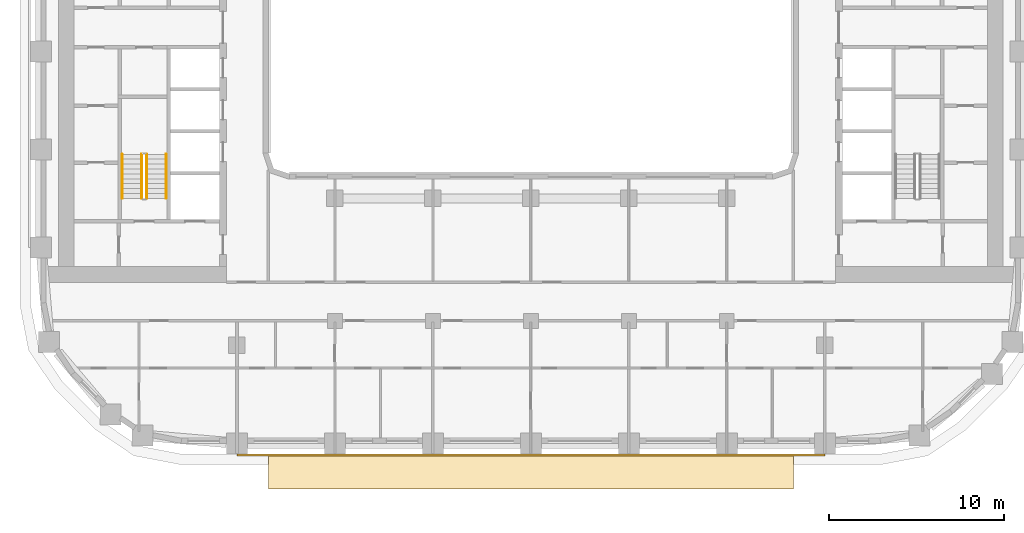
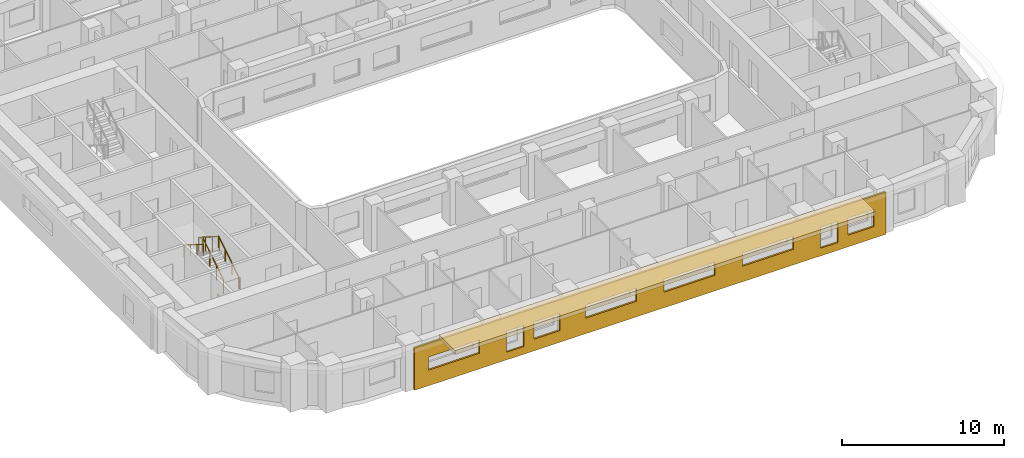
# One storey, part 12 of 21: 4 railings, 2 coverings.
"""IFC4 building model written with IfcOpenShell, lengths in metres."""

from ifc_helpers import new_model, si_unit, direction, frame, origin, origin_2d, place, context, subcontext, project, spatial, polyline, circle, outline, extrude, material, layer, layer_set, type_object, element, save


model = new_model("IFC4")

# Units and contexts
model_context = context("Model", 3, precision=1e-05, world=origin(), true_north=direction((0.0, 1.0)))
body_context = subcontext(model_context, "Body", "Model", "MODEL_VIEW")
ifc_project = project(units=[si_unit("LENGTHUNIT", "METRE"), si_unit("AREAUNIT", "SQUARE_METRE"), si_unit("VOLUMEUNIT", "CUBIC_METRE"), si_unit("PLANEANGLEUNIT", "RADIAN"), si_unit("MASSUNIT", "GRAM", prefix="KILO")], contexts=[model_context])

# Site, building, storey
site_placement = place(None, origin())
site = spatial("IfcSite", under=ifc_project, at=site_placement, CompositionType="ELEMENT")
building_placement = place(site_placement, origin())
building = spatial("IfcBuilding", under=site, at=building_placement, Name="Kiln Ring Residences", CompositionType="ELEMENT")
storey_placement = place(building_placement, frame((0.0, 0.0, 114.800048828125)))
storey = spatial("IfcBuildingStorey", under=building, at=storey_placement, Name="L29", CompositionType="ELEMENT", Elevation=114.800048828125)

# Railings
ifc_material_1 = material(Name="Stainless steel", Category="steel")
railing_type_1 = type_object("IfcRailingType", Name="CORE-STAIR-GUARD", PredefinedType="GUARDRAIL", material=ifc_material_1)
railing_1_placement = place(storey_placement, frame((-21.949951171875, -8.39990234375, 0.175048828125)))
element("IfcRailing", 1, at=railing_1_placement, inside=storey, type_object=railing_type_1, Name="L29 W-STS stair guard 1", PredefinedType="GUARDRAIL", context=body_context, shape_type="SweptSolid", body=[
    extrude(circle(Radius=0.02392578125, at=origin_2d()), frame((0.0, 0.0, 1.076171875), z_axis=(0.0, 0.848007534815, 0.529984170421), x_axis=(-1.0, 0.0, 0.0)), (0.0, 0.0, 1.0), 2.9716796875),
    extrude(circle(Radius=0.02099609375, at=origin_2d()), origin(), (0.0, 0.0, 1.0), 1.052001953125),
    extrude(circle(Radius=0.02099609375, at=origin_2d()), frame((0.0, 0.840087890625, 0.52490234375)), (0.0, 0.0, 1.0), 1.052001953125),
    extrude(circle(Radius=0.02099609375, at=origin_2d()), frame((0.0, 1.679931640625, 1.050048828125)), (0.0, 0.0, 1.0), 1.052001953125),
    extrude(circle(Radius=0.02099609375, at=origin_2d()), frame((0.0, 2.52001953125, 1.574951171875)), (0.0, 0.0, 1.0), 1.052001953125),
])
railing_2_placement = place(storey_placement, frame((-22.25, -5.8798828125, 1.925048828125)))
element("IfcRailing", 2, at=railing_2_placement, inside=storey, type_object=railing_type_1, Name="L29 W-STS stair guard 3", PredefinedType="GUARDRAIL", context=body_context, shape_type="SweptSolid", body=[
    extrude(circle(Radius=0.02392578125, at=origin_2d()), frame((0.0, 0.0, 1.076171875), z_axis=(0.0, -0.848007534815, 0.529984170421), x_axis=(1.0, 0.0, 0.0)), (0.0, 0.0, 1.0), 2.9716796875),
    extrude(circle(Radius=0.02099609375, at=origin_2d()), origin(), (0.0, 0.0, 1.0), 1.052001953125),
    extrude(circle(Radius=0.02099609375, at=origin_2d()), frame((0.0, -0.840087890625, 0.52490234375)), (0.0, 0.0, 1.0), 1.052001953125),
    extrude(circle(Radius=0.02099609375, at=origin_2d()), frame((0.0, -1.679931640625, 1.050048828125)), (0.0, 0.0, 1.0), 1.052001953125),
    extrude(circle(Radius=0.02099609375, at=origin_2d()), frame((0.0, -2.52001953125, 1.574951171875)), (0.0, 0.0, 1.0), 1.052001953125),
])
ifc_material_2 = material(Name="Stainless steel", Category="steel")
railing_type_2 = type_object("IfcRailingType", Name="CORE-STAIR-HANDRAIL", PredefinedType="HANDRAIL", material=ifc_material_2)
railing_3_placement = place(storey_placement, frame((-20.85009765625, -8.39990234375, 0.175048828125)))
element("IfcRailing", 3, at=railing_3_placement, inside=storey, type_object=railing_type_2, Name="L29 W-STS stair handrail 1", PredefinedType="HANDRAIL", context=body_context, shape_type="SweptSolid", body=[
    extrude(circle(Radius=0.02392578125, at=origin_2d()), frame((0.0, 0.0, 0.8759765625), z_axis=(0.0, 0.848007534815, 0.529984170421), x_axis=(-1.0, 0.0, 0.0)), (0.0, 0.0, 1.0), 2.9716796875),
    extrude(circle(Radius=0.02099609375, at=origin_2d()), origin(), (0.0, 0.0, 1.0), 0.851806640625),
    extrude(circle(Radius=0.02099609375, at=origin_2d()), frame((0.0, 0.840087890625, 0.52490234375)), (0.0, 0.0, 1.0), 0.851806640625),
    extrude(circle(Radius=0.02099609375, at=origin_2d()), frame((0.0, 1.679931640625, 1.050048828125)), (0.0, 0.0, 1.0), 0.851806640625),
    extrude(circle(Radius=0.02099609375, at=origin_2d()), frame((0.0, 2.52001953125, 1.574951171875)), (0.0, 0.0, 1.0), 0.851806640625),
])
railing_4_placement = place(storey_placement, frame((-23.35009765625, -5.8798828125, 1.925048828125)))
element("IfcRailing", 4, at=railing_4_placement, inside=storey, type_object=railing_type_2, Name="L29 W-STS stair handrail 2", PredefinedType="HANDRAIL", context=body_context, shape_type="SweptSolid", body=[
    extrude(circle(Radius=0.02392578125, at=origin_2d()), frame((0.0, 0.0, 0.8759765625), z_axis=(0.0, -0.848007534815, 0.529984170421), x_axis=(1.0, 0.0, 0.0)), (0.0, 0.0, 1.0), 2.9716796875),
    extrude(circle(Radius=0.02099609375, at=origin_2d()), origin(), (0.0, 0.0, 1.0), 0.851806640625),
    extrude(circle(Radius=0.02099609375, at=origin_2d()), frame((0.0, -0.840087890625, 0.52490234375)), (0.0, 0.0, 1.0), 0.851806640625),
    extrude(circle(Radius=0.02099609375, at=origin_2d()), frame((0.0, -1.679931640625, 1.050048828125)), (0.0, 0.0, 1.0), 0.851806640625),
    extrude(circle(Radius=0.02099609375, at=origin_2d()), frame((0.0, -2.52001953125, 1.574951171875)), (0.0, 0.0, 1.0), 0.851806640625),
])

# Coverings
ifc_material_3 = material(Name="Brick masonry, dark clay brick", Category="masonry")
ifc_layer_1 = layer(ifc_material_3, 0.1201171875)
ifc_layer_set_1 = layer_set([ifc_layer_1], Name="RAINSCREEN PANEL 120")
covering_type_1 = type_object("IfcCoveringType", Name="RAINSCREEN PANEL 120", PredefinedType="CLADDING", material=ifc_layer_set_1)
covering_1_placement = place(storey_placement, frame((-16.800048828125, -23.06005859375, 0.0), z_axis=(0.0, 0.0, 1.0), x_axis=(1.0, 0.0, 0.0)))
element("IfcCovering", 5, at=covering_1_placement, inside=storey, type_object=covering_type_1, Name="RAINSCREEN L29", PredefinedType="CLADDING", context=body_context, shape_type="SweptSolid", body=[
    extrude(outline(polyline([(0.0, 0.0), (33.60009765625, 0.0), (33.60009765625, 3.199951171875), (0.0, 3.199951171875), (0.0, 0.0)]), holes=[polyline([(6.54248046875, 0.579833984375), (7.782470703125, 0.579833984375), (7.782470703125, 2.169921875), (6.54248046875, 2.169921875), (6.54248046875, 0.579833984375)]), polyline([(28.9423828125, 0.579833984375), (30.1826171875, 0.579833984375), (30.1826171875, 2.169921875), (28.9423828125, 2.169921875), (28.9423828125, 0.579833984375)]), polyline([(8.517578125, 0.8798828125), (10.357421875, 0.8798828125), (10.357421875, 2.169921875), (8.517578125, 2.169921875), (8.517578125, 0.8798828125)]), polyline([(30.91748046875, 0.8798828125), (32.757568359375, 0.8798828125), (32.757568359375, 2.169921875), (30.91748046875, 2.169921875), (30.91748046875, 0.8798828125)]), polyline([(0.97998046875, 1.179931640625), (4.6201171875, 1.179931640625), (4.6201171875, 2.169921875), (0.97998046875, 2.169921875), (0.97998046875, 1.179931640625)]), polyline([(12.179931640625, 1.179931640625), (15.820068359375, 1.179931640625), (15.820068359375, 2.169921875), (12.179931640625, 2.169921875), (12.179931640625, 1.179931640625)]), polyline([(17.780029296875, 1.179931640625), (21.419921875, 1.179931640625), (21.419921875, 2.169921875), (17.780029296875, 2.169921875), (17.780029296875, 1.179931640625)]), polyline([(23.3798828125, 1.179931640625), (27.02001953125, 1.179931640625), (27.02001953125, 2.169921875), (23.3798828125, 2.169921875), (23.3798828125, 1.179931640625)])]), frame((0.0, 0.06005859375, 0.0), z_axis=(0.0, -1.0, 0.0), x_axis=(1.0, 0.0, 0.0)), (0.0, 0.0, 1.0), 0.1201171875),
])
ifc_material_4 = material(Name="Black powder-coated steel", Category="steel")
ifc_layer_2 = layer(ifc_material_4, 0.300048828125)
ifc_layer_set_2 = layer_set([ifc_layer_2], Name="SUNSHADE BAND 2000")
covering_type_2 = type_object("IfcCoveringType", Name="SUNSHADE BAND 2000", PredefinedType="CLADDING", material=ifc_layer_set_2)
covering_2_placement = place(storey_placement, frame((0.0, 0.0, 3.199951171875)))
element("IfcCovering", 6, at=covering_2_placement, inside=storey, type_object=covering_type_2, Name="SUNSHADE BAND L29", PredefinedType="CLADDING", context=body_context, shape_type="SweptSolid", body=[
    extrude(outline(polyline([(-15.0, -25.0), (15.0, -25.0), (15.0, -23.0), (-15.0, -23.0), (-15.0, -25.0)])), origin(), (0.0, 0.0, 1.0), 0.300048828125),
])

save(model, "model.ifc")
